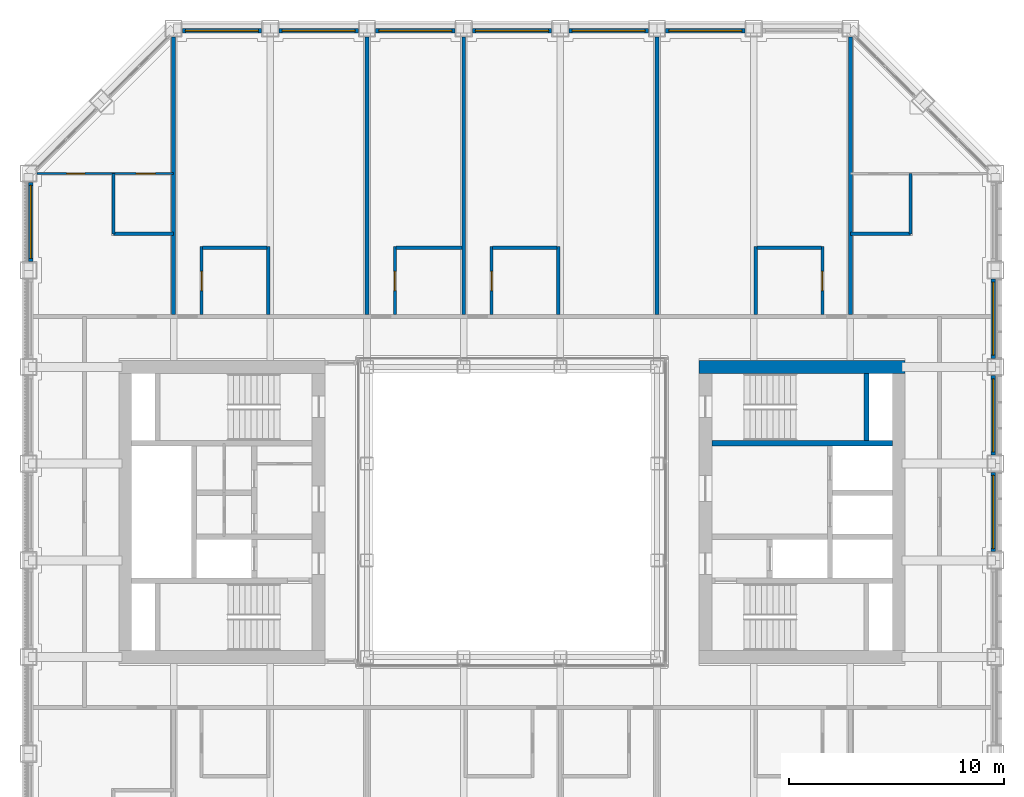
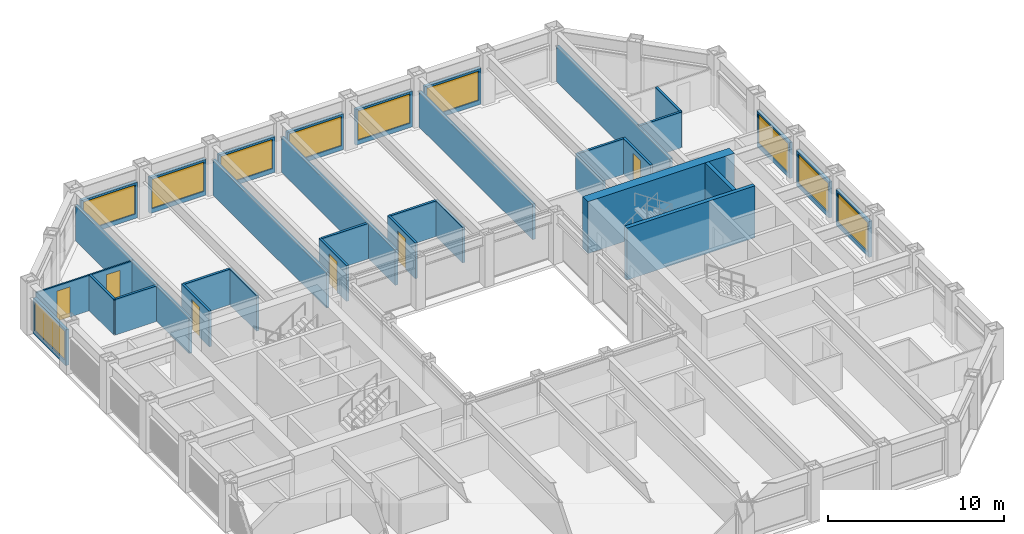
# One storey, part 13 of 17: 34 walls, 10 windows, 6 doors, 16 openings.
"""IFC4 building model written with IfcOpenShell, lengths in metres."""

import ifcopenshell
import ifcopenshell.guid

model = None  # the IFC model being written
_history = None  # IfcOwnerHistory: only IFC2X3 demands one
_inside = {}  # id of a spatial element -> (the spatial element, [elements in it])
_under = {}  # id of a project, library or spatial element -> (it, [spatial elements below it])
_declared = {}  # id of a project -> (the project, [libraries it declares])
_typed = {}  # id of a type object -> (the type object, [elements of that type])
_made_of = {}  # id of a material, layer set ... -> (it, [elements and type objects made of it])


def new_model(schema):
    """Start an empty IFC model of exactly this schema.

    Asked for "IFC4X3", IfcOpenShell would pick the latest addendum, in which some entities
    have other attributes; the version numbers below select the first issue.
    IFC2X3 requires an IfcOwnerHistory on every rooted entity: one is made here for all.
    """
    global model, _history
    if schema == "IFC4X3":
        model = ifcopenshell.file(schema_version=(4, 3, 0, 0))
    else:
        model = ifcopenshell.file(schema=schema)
    _inside.clear()
    _under.clear()
    _declared.clear()
    _typed.clear()
    _made_of.clear()
    _history = None
    if model.schema == "IFC2X3":
        org = make("IfcOrganization", Name="unknown")
        user = make(
            "IfcPersonAndOrganization",
            ThePerson=make("IfcPerson", FamilyName="unknown"),
            TheOrganization=org,
        )
        app = make(
            "IfcApplication",
            ApplicationDeveloper=org,
            Version="unknown",
            ApplicationFullName="unknown",
            ApplicationIdentifier="unknown",
        )
        _history = make(
            "IfcOwnerHistory",
            OwningUser=user,
            OwningApplication=app,
            ChangeAction="ADDED",
            CreationDate=0,
        )
    return model


def make(cls, **values):
    """One entity of the class cls with the attributes given. An attribute that is None is left unset."""
    return model.create_entity(
        cls, **{name: value for name, value in values.items() if value is not None}
    )


def rooted(cls, **values):
    """An entity with a GlobalId (a new one), such as an element, a storey or a relation."""
    return make(cls, GlobalId=ifcopenshell.guid.new(), OwnerHistory=_history, **values)


def si_unit(unit_type, name, prefix=None):
    """IfcSIUnit, for example si_unit("LENGTHUNIT", "METRE", prefix="MILLI")."""
    return make("IfcSIUnit", UnitType=unit_type, Prefix=prefix, Name=name)


def assignment(units):
    """IfcUnitAssignment: the units of a project."""
    return None if units is None else make("IfcUnitAssignment", Units=units)


def point(xyz):
    """IfcCartesianPoint."""
    return None if xyz is None else make("IfcCartesianPoint", Coordinates=xyz)


def direction(xyz):
    """IfcDirection."""
    return None if xyz is None else make("IfcDirection", DirectionRatios=xyz)


def frame(location, z_axis=None, x_axis=None):
    """IfcAxis2Placement3D, a coordinate frame: its origin and axes. An axis left out is left unset."""
    return make(
        "IfcAxis2Placement3D",
        Location=point(location),
        Axis=direction(z_axis),
        RefDirection=direction(x_axis),
    )


def frame_2d(location, x_axis=None):
    """IfcAxis2Placement2D, a coordinate frame in the plane: its origin and x axis."""
    return make(
        "IfcAxis2Placement2D", Location=point(location), RefDirection=direction(x_axis)
    )


def origin():
    """The frame at (0, 0, 0) with its axes left unset."""
    return frame((0.0, 0.0, 0.0))


def place(relative_to, where):
    """IfcLocalPlacement: puts the frame where relative to a parent placement (None: the world)."""
    return make(
        "IfcLocalPlacement", PlacementRelTo=relative_to, RelativePlacement=where
    )


def context(
    kind, dimensions, precision=None, world=None, true_north=None, identifier=None
):
    """IfcGeometricRepresentationContext, for example the 3D "Model" context."""
    return make(
        "IfcGeometricRepresentationContext",
        ContextIdentifier=identifier,
        ContextType=kind,
        CoordinateSpaceDimension=dimensions,
        Precision=precision,
        WorldCoordinateSystem=world,
        TrueNorth=true_north,
    )


def subcontext(parent, identifier, kind, view, scale=None):
    """IfcGeometricRepresentationSubContext, for example "Body" below "Model"."""
    return make(
        "IfcGeometricRepresentationSubContext",
        ContextIdentifier=identifier,
        ContextType=kind,
        ParentContext=parent,
        TargetScale=scale,
        TargetView=view,
    )


def project(units=None, contexts=None):
    """IfcProject with its units and contexts."""
    return rooted(
        "IfcProject",
        Name="project",
        RepresentationContexts=contexts,
        UnitsInContext=assignment(units),
    )


def spatial(cls, under=None, at=None, **own):
    """A site, building, storey or space (cls), placed at a placement, below another one or the project."""
    s = rooted(cls, ObjectPlacement=at, **own)
    if under is not None:
        _under.setdefault(under.id(), (under, []))[1].append(s)
    return s


def profile(cls, at=None, kind="AREA", **sizes):
    """A parametric profile (cls). Its sizes go by their IFC names, for example OverallWidth=200.0."""
    return make(cls, ProfileType=kind, Position=at, **sizes)


def rectangle(**sizes):
    """IfcRectangleProfileDef."""
    return profile("IfcRectangleProfileDef", **sizes)


def extrude(swept, where, along, depth):
    """IfcExtrudedAreaSolid: the profile swept, set in the frame where, extruded along a direction by depth."""
    return make(
        "IfcExtrudedAreaSolid",
        SweptArea=swept,
        Position=where,
        ExtrudedDirection=direction(along),
        Depth=depth,
    )


def shape(context_of_items, identifier, shape_type, items):
    """IfcShapeRepresentation: the items that make up one representation, for example the "Body"."""
    return make(
        "IfcShapeRepresentation",
        ContextOfItems=context_of_items,
        RepresentationIdentifier=identifier,
        RepresentationType=shape_type,
        Items=items,
    )


def material(Name=None, Category=None):
    """IfcMaterial."""
    return make("IfcMaterial", Name=Name, Category=Category)


def layer(
    of_material, thickness, ventilated=None, Name=None, Category=None, Priority=None
):
    """IfcMaterialLayer: one layer of a wall or slab, of a material (None: an air gap)."""
    return make(
        "IfcMaterialLayer",
        Material=of_material,
        LayerThickness=thickness,
        IsVentilated=ventilated,
        Name=Name,
        Category=Category,
        Priority=Priority,
    )


def layer_set(layers, Name=None):
    """IfcMaterialLayerSet."""
    return make("IfcMaterialLayerSet", MaterialLayers=layers, LayerSetName=Name)


def made_of(thing, what):
    """Note that an element or type object is made of a material, layer set ...; save() writes the relation."""
    if what is not None:
        _made_of.setdefault(what.id(), (what, []))[1].append(thing)
    return thing


def type_object(cls, material=None, **own):
    """A type object (cls), such as IfcWallType, which elements share."""
    return made_of(rooted(cls, **own), material)


def element(
    cls,
    number,
    at=None,
    inside=None,
    cuts=None,
    type_object=None,
    material=None,
    context=None,
    identifier="Body",
    shape_type=None,
    held_by="IfcProductDefinitionShape",
    body=None,
    shapes=None,
    **own,
):
    """One element of the class cls, such as IfcWall. Its Tag is "e" and its number.

    at: its placement. inside: the storey or other place that contains it. cuts: it is an
    opening in that element (IfcRelVoidsElement). A single representation is given by context,
    identifier, shape_type and body (its items); several are given by shapes. held_by: the class
    of the entity that holds the representations. save() writes the other relations.
    """
    e = rooted(cls, Tag="e%d" % number, ObjectPlacement=at, **own)
    if body is not None:
        shapes = [shape(context, identifier, shape_type, body)]
    if shapes is not None:
        e.Representation = make(held_by, Representations=shapes)
    if inside is not None:
        _inside.setdefault(inside.id(), (inside, []))[1].append(e)
    if cuts is not None:
        rooted(
            "IfcRelVoidsElement", RelatingBuildingElement=cuts, RelatedOpeningElement=e
        )
    if type_object is not None:
        _typed.setdefault(type_object.id(), (type_object, []))[1].append(e)
    return made_of(e, material)


def fill(opening, filler):
    """IfcRelFillsElement: the door or window that sits in an opening."""
    return rooted(
        "IfcRelFillsElement",
        RelatingOpeningElement=opening,
        RelatedBuildingElement=filler,
    )


def aggregate(whole, parts):
    """IfcRelAggregates: a whole, such as a stair, and the parts it consists of."""
    return rooted("IfcRelAggregates", RelatingObject=whole, RelatedObjects=parts)


def save(model, path):
    """Write the relations noted so far, then the file.

    IfcRelAggregates (storeys below a building ...), IfcRelContainedInSpatialStructure (elements
    in a storey), IfcRelDefinesByType, IfcRelAssociatesMaterial and IfcRelDeclares: one each for
    every whole, place, type object, material and project.
    """
    for whole, parts in _under.values():
        aggregate(whole, parts)
    for where, things in _inside.values():
        rooted(
            "IfcRelContainedInSpatialStructure",
            RelatedElements=things,
            RelatingStructure=where,
        )
    for kind, things in _typed.values():
        rooted("IfcRelDefinesByType", RelatedObjects=things, RelatingType=kind)
    for what, things in _made_of.values():
        rooted("IfcRelAssociatesMaterial", RelatedObjects=things, RelatingMaterial=what)
    for by, libraries in _declared.values():
        rooted("IfcRelDeclares", RelatingContext=by, RelatedDefinitions=libraries)
    model.write(path)


model = new_model("IFC4")

# Units and contexts
model_context = context("Model", 3, precision=1e-05, world=origin(), true_north=direction((0.0, 1.0)))
body_context = subcontext(model_context, "Body", "Model", "MODEL_VIEW")
ifc_project = project(units=[si_unit("LENGTHUNIT", "METRE"), si_unit("AREAUNIT", "SQUARE_METRE"), si_unit("VOLUMEUNIT", "CUBIC_METRE"), si_unit("PLANEANGLEUNIT", "RADIAN"), si_unit("MASSUNIT", "GRAM", prefix="KILO")], contexts=[model_context])

# Site, building, storey
site_placement = place(None, origin())
site = spatial("IfcSite", under=ifc_project, at=site_placement, CompositionType="ELEMENT")
building_placement = place(site_placement, origin())
building = spatial("IfcBuilding", under=site, at=building_placement, Name="Msasa Ring Tower", CompositionType="ELEMENT")
storey_placement = place(building_placement, frame((0.0, 0.0, 161.60009765625)))
storey = spatial("IfcBuildingStorey", under=building, at=storey_placement, Name="L42", CompositionType="ELEMENT", Elevation=161.60009765625)

# Walls
ifc_material_1 = material(Name="Concrete C60/75", Category="concrete")
ifc_layer_1 = layer(ifc_material_1, 0.60009765625)
ifc_layer_set_1 = layer_set([ifc_layer_1], Name="CW2 CORE WALL 600")
wall_type_1 = type_object("IfcWallType", Name="CW2 CORE WALL 600", PredefinedType="SHEAR", material=ifc_layer_set_1)
wall_1_placement = place(storey_placement, frame((8.699951171875, 6.75, 0.0), z_axis=(0.0, 0.0, 1.0), x_axis=(1.0, 0.0, 0.0)))
element("IfcWall", 1, at=wall_1_placement, inside=storey, type_object=wall_type_1, Name="E core wall N L42", PredefinedType="SHEAR", context=body_context, shape_type="SweptSolid", body=[
    extrude(rectangle(XDim=9.60009765625, YDim=0.60009765625, at=frame_2d((4.800048828125, 0.0))), origin(), (0.0, 0.0, 1.0), 3.599853515625),
])
ifc_material_2 = material(Name="Concrete C60/75", Category="concrete")
ifc_layer_2 = layer(ifc_material_2, 0.25)
ifc_layer_set_2 = layer_set([ifc_layer_2], Name="CW4 CORE INNER WALL 250")
wall_type_2 = type_object("IfcWallType", Name="CW4 CORE INNER WALL 250", PredefinedType="SHEAR", material=ifc_layer_set_2)
wall_2_placement = place(storey_placement, frame((9.300048828125, 3.199951171875, 0.0), z_axis=(0.0, 0.0, 1.0), x_axis=(1.0, 0.0, 0.0)))
element("IfcWall", 2, at=wall_2_placement, inside=storey, type_object=wall_type_2, Name="E core wall STAIRB L42", PredefinedType="SHEAR", context=body_context, shape_type="SweptSolid", body=[
    extrude(rectangle(XDim=8.39990234375, YDim=0.25, at=frame_2d((4.199951171875, 0.0))), origin(), (0.0, 0.0, 1.0), 3.599853515625),
])
wall_3_placement = place(storey_placement, frame((16.5, 3.324951171875, 0.0), z_axis=(0.0, 0.0, 1.0), x_axis=(0.0, 1.0, 0.0)))
element("IfcWall", 3, at=wall_3_placement, inside=storey, type_object=wall_type_2, Name="E core wall RISERB L42", PredefinedType="SHEAR", context=body_context, shape_type="SweptSolid", body=[
    extrude(rectangle(XDim=3.125, YDim=0.25, at=frame_2d((1.5625, 0.0))), origin(), (0.0, 0.0, 1.0), 3.599853515625),
])

# Wall, opening, window
ifc_material_3 = material(Name="Terracotta rainscreen on blockwork", Category="masonry")
ifc_layer_3 = layer(ifc_material_3, 0.199951171875)
ifc_layer_set_3 = layer_set([ifc_layer_3], Name="FW1 TERRACOTTA-LINED INFILL BAY WALL 200")
wall_type_3 = type_object("IfcWallType", Name="FW1 TERRACOTTA-LINED INFILL BAY WALL 200", PredefinedType="SOLIDWALL", material=ifc_layer_set_3)
wall_4_placement = place(storey_placement, frame((22.39990234375, -1.844970703125, 0.0), z_axis=(0.0, 0.0, 1.0), x_axis=(0.0, 1.0, 0.0)))
wall_4 = element("IfcWall", 4, at=wall_4_placement, inside=storey, type_object=wall_type_3, Name="Infill bay wall E L42 12", PredefinedType="SOLIDWALL", context=body_context, shape_type="SweptSolid", body=[
    extrude(rectangle(XDim=3.68994140625, YDim=0.199951171875, at=frame_2d((1.844970703125, 0.0))), origin(), (0.0, 0.0, 1.0), 2.47900390625),
])
opening_1_placement = place(wall_4_placement, frame((0.14501953125, 0.0, 0.300048828125)))
opening_1 = element("IfcOpeningElement", 5, at=opening_1_placement, cuts=wall_4, Name="Opening WN2", PredefinedType="OPENING", context=body_context, shape_type="SweptSolid", body=[
    extrude(rectangle(XDim=3.39990234375, YDim=2.029052734375, at=frame_2d((1.699951171875, 1.0146484375))), frame((0.0, 0.10986328125, 0.0), z_axis=(0.0, -1.0, 0.0), x_axis=(1.0, 0.0, 0.0)), (0.0, 0.0, 1.0), 0.219970703125),
])
ifc_material_4 = material(Name="Aluminium frame with clear glass", Category="aluminium")
window_type = type_object("IfcWindowType", Name="WN2 GUEST ROOM WINDOW 3400x2029", PartitioningType="SINGLE_PANEL", PredefinedType="WINDOW", material=ifc_material_4)
window_1_placement = place(opening_1_placement, origin())
window_1 = element("IfcWindow", 6, at=window_1_placement, inside=storey, type_object=window_type, Name="Window E L42 12", OverallHeight=2.029052734375, OverallWidth=3.39990234375, PartitioningType="SINGLE_PANEL", PredefinedType="WINDOW", context=body_context, shape_type="SweptSolid", body=[
    extrude(rectangle(XDim=3.39990234375, YDim=2.029052734375, at=frame_2d((1.699951171875, 1.0146484375))), frame((0.0, 0.030029296875, 0.0), z_axis=(0.0, -1.0, 0.0), x_axis=(1.0, 0.0, 0.0)), (0.0, 0.0, 1.0), 0.06005859375),
])
fill(opening_1, window_1)

wall_5_placement = place(storey_placement, frame((22.39990234375, 2.655029296875, 0.0), z_axis=(0.0, 0.0, 1.0), x_axis=(0.0, 1.0, 0.0)))
wall_5 = element("IfcWall", 7, at=wall_5_placement, inside=storey, type_object=wall_type_3, Name="Infill bay wall E L42 13", PredefinedType="SOLIDWALL", context=body_context, shape_type="SweptSolid", body=[
    extrude(rectangle(XDim=3.68994140625, YDim=0.199951171875, at=frame_2d((1.844970703125, 0.0))), origin(), (0.0, 0.0, 1.0), 2.47900390625),
])
opening_2_placement = place(wall_5_placement, frame((0.14501953125, 0.0, 0.300048828125)))
opening_2 = element("IfcOpeningElement", 8, at=opening_2_placement, cuts=wall_5, Name="Opening WN2", PredefinedType="OPENING", context=body_context, shape_type="SweptSolid", body=[
    extrude(rectangle(XDim=3.39990234375, YDim=2.029052734375, at=frame_2d((1.699951171875, 1.0146484375))), frame((0.0, 0.10986328125, 0.0), z_axis=(0.0, -1.0, 0.0), x_axis=(1.0, 0.0, 0.0)), (0.0, 0.0, 1.0), 0.219970703125),
])
window_2_placement = place(opening_2_placement, origin())
window_2 = element("IfcWindow", 9, at=window_2_placement, inside=storey, type_object=window_type, Name="Window E L42 13", OverallHeight=2.029052734375, OverallWidth=3.39990234375, PartitioningType="SINGLE_PANEL", PredefinedType="WINDOW", context=body_context, shape_type="SweptSolid", body=[
    extrude(rectangle(XDim=3.39990234375, YDim=2.029052734375, at=frame_2d((1.699951171875, 1.0146484375))), frame((0.0, 0.030029296875, 0.0), z_axis=(0.0, -1.0, 0.0), x_axis=(1.0, 0.0, 0.0)), (0.0, 0.0, 1.0), 0.06005859375),
])
fill(opening_2, window_2)

wall_6_placement = place(storey_placement, frame((22.39990234375, 7.155029296875, 0.0), z_axis=(0.0, 0.0, 1.0), x_axis=(0.0, 1.0, 0.0)))
wall_6 = element("IfcWall", 10, at=wall_6_placement, inside=storey, type_object=wall_type_3, Name="Infill bay wall E L42 14", PredefinedType="SOLIDWALL", context=body_context, shape_type="SweptSolid", body=[
    extrude(rectangle(XDim=3.68994140625, YDim=0.199951171875, at=frame_2d((1.844970703125, 0.0))), origin(), (0.0, 0.0, 1.0), 2.47900390625),
])
opening_3_placement = place(wall_6_placement, frame((0.14501953125, 0.0, 0.300048828125)))
opening_3 = element("IfcOpeningElement", 11, at=opening_3_placement, cuts=wall_6, Name="Opening WN2", PredefinedType="OPENING", context=body_context, shape_type="SweptSolid", body=[
    extrude(rectangle(XDim=3.39990234375, YDim=2.029052734375, at=frame_2d((1.699951171875, 1.0146484375))), frame((0.0, 0.10986328125, 0.0), z_axis=(0.0, -1.0, 0.0), x_axis=(1.0, 0.0, 0.0)), (0.0, 0.0, 1.0), 0.219970703125),
])
window_3_placement = place(opening_3_placement, origin())
window_3 = element("IfcWindow", 12, at=window_3_placement, inside=storey, type_object=window_type, Name="Window E L42 14", OverallHeight=2.029052734375, OverallWidth=3.39990234375, PartitioningType="SINGLE_PANEL", PredefinedType="WINDOW", context=body_context, shape_type="SweptSolid", body=[
    extrude(rectangle(XDim=3.39990234375, YDim=2.029052734375, at=frame_2d((1.699951171875, 1.0146484375))), frame((0.0, 0.030029296875, 0.0), z_axis=(0.0, -1.0, 0.0), x_axis=(1.0, 0.0, 0.0)), (0.0, 0.0, 1.0), 0.06005859375),
])
fill(opening_3, window_3)

wall_7_placement = place(storey_placement, frame((-15.344970703125, 22.39990234375, 0.0), z_axis=(0.0, 0.0, 1.0), x_axis=(1.0, 0.0, 0.0)))
wall_7 = element("IfcWall", 13, at=wall_7_placement, inside=storey, type_object=wall_type_3, Name="Infill bay wall N L42 18", PredefinedType="SOLIDWALL", context=body_context, shape_type="SweptSolid", body=[
    extrude(rectangle(XDim=3.68994140625, YDim=0.199951171875, at=frame_2d((1.844970703125, 0.0))), origin(), (0.0, 0.0, 1.0), 2.47900390625),
])
opening_4_placement = place(wall_7_placement, frame((0.14501953125, 0.0, 0.300048828125)))
opening_4 = element("IfcOpeningElement", 14, at=opening_4_placement, cuts=wall_7, Name="Opening WN2", PredefinedType="OPENING", context=body_context, shape_type="SweptSolid", body=[
    extrude(rectangle(XDim=3.39990234375, YDim=2.029052734375, at=frame_2d((1.699951171875, 1.0146484375))), frame((0.0, 0.10986328125, 0.0), z_axis=(0.0, -1.0, 0.0), x_axis=(1.0, 0.0, 0.0)), (0.0, 0.0, 1.0), 0.219970703125),
])
window_4_placement = place(opening_4_placement, origin())
window_4 = element("IfcWindow", 15, at=window_4_placement, inside=storey, type_object=window_type, Name="Window N L42 18", OverallHeight=2.029052734375, OverallWidth=3.39990234375, PartitioningType="SINGLE_PANEL", PredefinedType="WINDOW", context=body_context, shape_type="SweptSolid", body=[
    extrude(rectangle(XDim=3.39990234375, YDim=2.029052734375, at=frame_2d((1.699951171875, 1.0146484375))), frame((0.0, 0.030029296875, 0.0), z_axis=(0.0, -1.0, 0.0), x_axis=(1.0, 0.0, 0.0)), (0.0, 0.0, 1.0), 0.06005859375),
])
fill(opening_4, window_4)

wall_8_placement = place(storey_placement, frame((-10.844970703125, 22.39990234375, 0.0), z_axis=(0.0, 0.0, 1.0), x_axis=(1.0, 0.0, 0.0)))
wall_8 = element("IfcWall", 16, at=wall_8_placement, inside=storey, type_object=wall_type_3, Name="Infill bay wall N L42 19", PredefinedType="SOLIDWALL", context=body_context, shape_type="SweptSolid", body=[
    extrude(rectangle(XDim=3.68994140625, YDim=0.199951171875, at=frame_2d((1.844970703125, 0.0))), origin(), (0.0, 0.0, 1.0), 2.47900390625),
])
opening_5_placement = place(wall_8_placement, frame((0.14501953125, 0.0, 0.300048828125)))
opening_5 = element("IfcOpeningElement", 17, at=opening_5_placement, cuts=wall_8, Name="Opening WN2", PredefinedType="OPENING", context=body_context, shape_type="SweptSolid", body=[
    extrude(rectangle(XDim=3.39990234375, YDim=2.029052734375, at=frame_2d((1.699951171875, 1.0146484375))), frame((0.0, 0.10986328125, 0.0), z_axis=(0.0, -1.0, 0.0), x_axis=(1.0, 0.0, 0.0)), (0.0, 0.0, 1.0), 0.219970703125),
])
window_5_placement = place(opening_5_placement, origin())
window_5 = element("IfcWindow", 18, at=window_5_placement, inside=storey, type_object=window_type, Name="Window N L42 19", OverallHeight=2.029052734375, OverallWidth=3.39990234375, PartitioningType="SINGLE_PANEL", PredefinedType="WINDOW", context=body_context, shape_type="SweptSolid", body=[
    extrude(rectangle(XDim=3.39990234375, YDim=2.029052734375, at=frame_2d((1.699951171875, 1.0146484375))), frame((0.0, 0.030029296875, 0.0), z_axis=(0.0, -1.0, 0.0), x_axis=(1.0, 0.0, 0.0)), (0.0, 0.0, 1.0), 0.06005859375),
])
fill(opening_5, window_5)

wall_9_placement = place(storey_placement, frame((-6.344970703125, 22.39990234375, 0.0), z_axis=(0.0, 0.0, 1.0), x_axis=(1.0, 0.0, 0.0)))
wall_9 = element("IfcWall", 19, at=wall_9_placement, inside=storey, type_object=wall_type_3, Name="Infill bay wall N L42 20", PredefinedType="SOLIDWALL", context=body_context, shape_type="SweptSolid", body=[
    extrude(rectangle(XDim=3.68994140625, YDim=0.199951171875, at=frame_2d((1.844970703125, 0.0))), origin(), (0.0, 0.0, 1.0), 2.47900390625),
])
opening_6_placement = place(wall_9_placement, frame((0.14501953125, 0.0, 0.300048828125)))
opening_6 = element("IfcOpeningElement", 20, at=opening_6_placement, cuts=wall_9, Name="Opening WN2", PredefinedType="OPENING", context=body_context, shape_type="SweptSolid", body=[
    extrude(rectangle(XDim=3.39990234375, YDim=2.029052734375, at=frame_2d((1.699951171875, 1.0146484375))), frame((0.0, 0.10986328125, 0.0), z_axis=(0.0, -1.0, 0.0), x_axis=(1.0, 0.0, 0.0)), (0.0, 0.0, 1.0), 0.219970703125),
])
window_6_placement = place(opening_6_placement, origin())
window_6 = element("IfcWindow", 21, at=window_6_placement, inside=storey, type_object=window_type, Name="Window N L42 20", OverallHeight=2.029052734375, OverallWidth=3.39990234375, PartitioningType="SINGLE_PANEL", PredefinedType="WINDOW", context=body_context, shape_type="SweptSolid", body=[
    extrude(rectangle(XDim=3.39990234375, YDim=2.029052734375, at=frame_2d((1.699951171875, 1.0146484375))), frame((0.0, 0.030029296875, 0.0), z_axis=(0.0, -1.0, 0.0), x_axis=(1.0, 0.0, 0.0)), (0.0, 0.0, 1.0), 0.06005859375),
])
fill(opening_6, window_6)

wall_10_placement = place(storey_placement, frame((-1.844970703125, 22.39990234375, 0.0), z_axis=(0.0, 0.0, 1.0), x_axis=(1.0, 0.0, 0.0)))
wall_10 = element("IfcWall", 22, at=wall_10_placement, inside=storey, type_object=wall_type_3, Name="Infill bay wall N L42 21", PredefinedType="SOLIDWALL", context=body_context, shape_type="SweptSolid", body=[
    extrude(rectangle(XDim=3.68994140625, YDim=0.199951171875, at=frame_2d((1.844970703125, 0.0))), origin(), (0.0, 0.0, 1.0), 2.47900390625),
])
opening_7_placement = place(wall_10_placement, frame((0.14501953125, 0.0, 0.300048828125)))
opening_7 = element("IfcOpeningElement", 23, at=opening_7_placement, cuts=wall_10, Name="Opening WN2", PredefinedType="OPENING", context=body_context, shape_type="SweptSolid", body=[
    extrude(rectangle(XDim=3.39990234375, YDim=2.029052734375, at=frame_2d((1.699951171875, 1.0146484375))), frame((0.0, 0.10986328125, 0.0), z_axis=(0.0, -1.0, 0.0), x_axis=(1.0, 0.0, 0.0)), (0.0, 0.0, 1.0), 0.219970703125),
])
window_7_placement = place(opening_7_placement, origin())
window_7 = element("IfcWindow", 24, at=window_7_placement, inside=storey, type_object=window_type, Name="Window N L42 21", OverallHeight=2.029052734375, OverallWidth=3.39990234375, PartitioningType="SINGLE_PANEL", PredefinedType="WINDOW", context=body_context, shape_type="SweptSolid", body=[
    extrude(rectangle(XDim=3.39990234375, YDim=2.029052734375, at=frame_2d((1.699951171875, 1.0146484375))), frame((0.0, 0.030029296875, 0.0), z_axis=(0.0, -1.0, 0.0), x_axis=(1.0, 0.0, 0.0)), (0.0, 0.0, 1.0), 0.06005859375),
])
fill(opening_7, window_7)

wall_11_placement = place(storey_placement, frame((2.655029296875, 22.39990234375, 0.0), z_axis=(0.0, 0.0, 1.0), x_axis=(1.0, 0.0, 0.0)))
wall_11 = element("IfcWall", 25, at=wall_11_placement, inside=storey, type_object=wall_type_3, Name="Infill bay wall N L42 22", PredefinedType="SOLIDWALL", context=body_context, shape_type="SweptSolid", body=[
    extrude(rectangle(XDim=3.68994140625, YDim=0.199951171875, at=frame_2d((1.844970703125, 0.0))), origin(), (0.0, 0.0, 1.0), 2.47900390625),
])
opening_8_placement = place(wall_11_placement, frame((0.14501953125, 0.0, 0.300048828125)))
opening_8 = element("IfcOpeningElement", 26, at=opening_8_placement, cuts=wall_11, Name="Opening WN2", PredefinedType="OPENING", context=body_context, shape_type="SweptSolid", body=[
    extrude(rectangle(XDim=3.39990234375, YDim=2.029052734375, at=frame_2d((1.699951171875, 1.0146484375))), frame((0.0, 0.10986328125, 0.0), z_axis=(0.0, -1.0, 0.0), x_axis=(1.0, 0.0, 0.0)), (0.0, 0.0, 1.0), 0.219970703125),
])
window_8_placement = place(opening_8_placement, origin())
window_8 = element("IfcWindow", 27, at=window_8_placement, inside=storey, type_object=window_type, Name="Window N L42 22", OverallHeight=2.029052734375, OverallWidth=3.39990234375, PartitioningType="SINGLE_PANEL", PredefinedType="WINDOW", context=body_context, shape_type="SweptSolid", body=[
    extrude(rectangle(XDim=3.39990234375, YDim=2.029052734375, at=frame_2d((1.699951171875, 1.0146484375))), frame((0.0, 0.030029296875, 0.0), z_axis=(0.0, -1.0, 0.0), x_axis=(1.0, 0.0, 0.0)), (0.0, 0.0, 1.0), 0.06005859375),
])
fill(opening_8, window_8)

wall_12_placement = place(storey_placement, frame((7.155029296875, 22.39990234375, 0.0), z_axis=(0.0, 0.0, 1.0), x_axis=(1.0, 0.0, 0.0)))
wall_12 = element("IfcWall", 28, at=wall_12_placement, inside=storey, type_object=wall_type_3, Name="Infill bay wall N L42 23", PredefinedType="SOLIDWALL", context=body_context, shape_type="SweptSolid", body=[
    extrude(rectangle(XDim=3.68994140625, YDim=0.199951171875, at=frame_2d((1.844970703125, 0.0))), origin(), (0.0, 0.0, 1.0), 2.47900390625),
])
opening_9_placement = place(wall_12_placement, frame((0.14501953125, 0.0, 0.300048828125)))
opening_9 = element("IfcOpeningElement", 29, at=opening_9_placement, cuts=wall_12, Name="Opening WN2", PredefinedType="OPENING", context=body_context, shape_type="SweptSolid", body=[
    extrude(rectangle(XDim=3.39990234375, YDim=2.029052734375, at=frame_2d((1.699951171875, 1.0146484375))), frame((0.0, 0.10986328125, 0.0), z_axis=(0.0, -1.0, 0.0), x_axis=(1.0, 0.0, 0.0)), (0.0, 0.0, 1.0), 0.219970703125),
])
window_9_placement = place(opening_9_placement, origin())
window_9 = element("IfcWindow", 30, at=window_9_placement, inside=storey, type_object=window_type, Name="Window N L42 23", OverallHeight=2.029052734375, OverallWidth=3.39990234375, PartitioningType="SINGLE_PANEL", PredefinedType="WINDOW", context=body_context, shape_type="SweptSolid", body=[
    extrude(rectangle(XDim=3.39990234375, YDim=2.029052734375, at=frame_2d((1.699951171875, 1.0146484375))), frame((0.0, 0.030029296875, 0.0), z_axis=(0.0, -1.0, 0.0), x_axis=(1.0, 0.0, 0.0)), (0.0, 0.0, 1.0), 0.06005859375),
])
fill(opening_9, window_9)

wall_13_placement = place(storey_placement, frame((-22.39990234375, 11.655029296875, 0.0), z_axis=(0.0, 0.0, 1.0), x_axis=(0.0, 1.0, 0.0)))
wall_13 = element("IfcWall", 31, at=wall_13_placement, inside=storey, type_object=wall_type_3, Name="Infill bay wall W L42 33", PredefinedType="SOLIDWALL", context=body_context, shape_type="SweptSolid", body=[
    extrude(rectangle(XDim=3.68994140625, YDim=0.199951171875, at=frame_2d((1.844970703125, 0.0))), origin(), (0.0, 0.0, 1.0), 2.47900390625),
])
opening_10_placement = place(wall_13_placement, frame((0.14501953125, 0.0, 0.300048828125)))
opening_10 = element("IfcOpeningElement", 32, at=opening_10_placement, cuts=wall_13, Name="Opening WN2", PredefinedType="OPENING", context=body_context, shape_type="SweptSolid", body=[
    extrude(rectangle(XDim=3.39990234375, YDim=2.029052734375, at=frame_2d((1.699951171875, 1.0146484375))), frame((0.0, 0.10986328125, 0.0), z_axis=(0.0, -1.0, 0.0), x_axis=(1.0, 0.0, 0.0)), (0.0, 0.0, 1.0), 0.219970703125),
])
window_10_placement = place(opening_10_placement, origin())
window_10 = element("IfcWindow", 33, at=window_10_placement, inside=storey, type_object=window_type, Name="Window W L42 33", OverallHeight=2.029052734375, OverallWidth=3.39990234375, PartitioningType="SINGLE_PANEL", PredefinedType="WINDOW", context=body_context, shape_type="SweptSolid", body=[
    extrude(rectangle(XDim=3.39990234375, YDim=2.029052734375, at=frame_2d((1.699951171875, 1.0146484375))), frame((0.0, 0.030029296875, 0.0), z_axis=(0.0, -1.0, 0.0), x_axis=(1.0, 0.0, 0.0)), (0.0, 0.0, 1.0), 0.06005859375),
])
fill(opening_10, window_10)

# Wall, openings, doors
ifc_material_5 = material(Name="Gypsum board on steel studs", Category="steel")
ifc_layer_4 = layer(ifc_material_5, 0.10009765625)
ifc_layer_set_4 = layer_set([ifc_layer_4], Name="PT2 STUD PARTITION 100")
wall_type_4 = type_object("IfcWallType", Name="PT2 STUD PARTITION 100", PredefinedType="PARTITIONING", material=ifc_layer_set_4)
wall_14_placement = place(storey_placement, frame((-22.10009765625, 15.75, 0.0), z_axis=(0.0, 0.0, 1.0), x_axis=(1.0, 0.0, 0.0)))
wall_14 = element("IfcWall", 34, at=wall_14_placement, inside=storey, type_object=wall_type_4, Name="Partition L42-CSNWX", PredefinedType="PARTITIONING", context=body_context, shape_type="SweptSolid", body=[
    extrude(rectangle(XDim=6.35009765625, YDim=0.10009765625, at=frame_2d((3.175048828125, 0.0))), origin(), (0.0, 0.0, 1.0), 2.473388671875),
])
opening_11_placement = place(wall_14_placement, frame((1.375, 0.0, 0.0)))
opening_11 = element("IfcOpeningElement", 35, at=opening_11_placement, cuts=wall_14, Name="Opening HE-001", PredefinedType="OPENING", context=body_context, shape_type="SweptSolid", body=[
    extrude(rectangle(XDim=0.85009765625, YDim=2.10009765625, at=frame_2d((0.425048828125, 1.050048828125))), frame((0.0, 0.06005859375, 0.0), z_axis=(0.0, -1.0, 0.0), x_axis=(1.0, 0.0, 0.0)), (0.0, 0.0, 1.0), 0.1201171875),
])
opening_12_placement = place(wall_14_placement, frame((4.60009765625, 0.0, 0.0)))
opening_12 = element("IfcOpeningElement", 36, at=opening_12_placement, cuts=wall_14, Name="Opening HE-002", PredefinedType="OPENING", context=body_context, shape_type="SweptSolid", body=[
    extrude(rectangle(XDim=0.89990234375, YDim=2.10009765625, at=frame_2d((0.449951171875, 1.050048828125))), frame((0.0, 0.06005859375, 0.0), z_axis=(0.0, -1.0, 0.0), x_axis=(1.0, 0.0, 0.0)), (0.0, 0.0, 1.0), 0.1201171875),
])
ifc_material_6 = material(Name="Timber door leaf in a steel frame", Category="steel")
door_type_1 = type_object("IfcDoorType", Name="D14 BEDROOM DOOR 850x2100", OperationType="SINGLE_SWING_LEFT", PredefinedType="DOOR", material=ifc_material_6)
door_1_placement = place(opening_11_placement, origin())
door_1 = element("IfcDoor", 37, at=door_1_placement, inside=storey, type_object=door_type_1, Name="Door L42-CSNWR1", OperationType="SINGLE_SWING_LEFT", OverallHeight=2.10009765625, OverallWidth=0.85009765625, PredefinedType="DOOR", context=body_context, shape_type="SweptSolid", body=[
    extrude(rectangle(XDim=0.85009765625, YDim=2.10009765625, at=frame_2d((0.425048828125, 1.050048828125))), frame((0.0, 0.02490234375, 0.0), z_axis=(0.0, -1.0, 0.0), x_axis=(1.0, 0.0, 0.0)), (0.0, 0.0, 1.0), 0.050048828125),
])
fill(opening_11, door_1)
ifc_material_7 = material(Name="Timber door leaf in a steel frame", Category="steel")
door_type_2 = type_object("IfcDoorType", Name="D3 BATHROOM DOOR 900x2100", OperationType="SINGLE_SWING_LEFT", PredefinedType="DOOR", material=ifc_material_7)
door_2_placement = place(opening_12_placement, origin())
door_2 = element("IfcDoor", 38, at=door_2_placement, inside=storey, type_object=door_type_2, Name="Door L42-CSNWB1", OperationType="SINGLE_SWING_RIGHT", OverallHeight=2.10009765625, OverallWidth=0.89990234375, PredefinedType="DOOR", context=body_context, shape_type="SweptSolid", body=[
    extrude(rectangle(XDim=0.89990234375, YDim=2.10009765625, at=frame_2d((0.449951171875, 1.050048828125))), frame((0.0, 0.02490234375, 0.0), z_axis=(0.0, -1.0, 0.0), x_axis=(1.0, 0.0, 0.0)), (0.0, 0.0, 1.0), 0.050048828125),
])
fill(opening_12, door_2)

# Wall, opening, door
ifc_material_8 = material(Name="Moisture-resistant board on steel studs with a concealed cistern and pipe void, tiled", Category="steel")
ifc_layer_5 = layer(ifc_material_8, 0.14990234375)
ifc_layer_set_5 = layer_set([ifc_layer_5], Name="PT4 BATHROOM WET WALL 150")
wall_type_5 = type_object("IfcWallType", Name="PT4 BATHROOM WET WALL 150", PredefinedType="PARTITIONING", material=ifc_layer_set_5)
wall_15_placement = place(storey_placement, frame((-14.449951171875, 9.199951171875, 0.0), z_axis=(0.0, 0.0, 1.0), x_axis=(0.0, 1.0, 0.0)))
wall_15 = element("IfcWall", 39, at=wall_15_placement, inside=storey, type_object=wall_type_5, Name="Partition L42-GN00BX", PredefinedType="PARTITIONING", context=body_context, shape_type="SweptSolid", body=[
    extrude(rectangle(XDim=3.150146484375, YDim=0.14990234375, at=frame_2d((1.5751953125, 0.0))), origin(), (0.0, 0.0, 1.0), 2.473388671875),
])
opening_13_placement = place(wall_15_placement, frame((1.10009765625, 0.0, 0.0)))
opening_13 = element("IfcOpeningElement", 40, at=opening_13_placement, cuts=wall_15, Name="Opening HE-005", PredefinedType="OPENING", context=body_context, shape_type="SweptSolid", body=[
    extrude(rectangle(XDim=0.89990234375, YDim=2.10009765625, at=frame_2d((0.449951171875, 1.050048828125))), frame((0.0, 0.0849609375, 0.0), z_axis=(0.0, -1.0, 0.0), x_axis=(1.0, 0.0, 0.0)), (0.0, 0.0, 1.0), 0.169921875),
])
door_3_placement = place(opening_13_placement, origin())
door_3 = element("IfcDoor", 41, at=door_3_placement, inside=storey, type_object=door_type_2, Name="Door L42-GN00B", OperationType="SINGLE_SWING_LEFT", OverallHeight=2.10009765625, OverallWidth=0.89990234375, PredefinedType="DOOR", context=body_context, shape_type="SweptSolid", body=[
    extrude(rectangle(XDim=0.89990234375, YDim=2.10009765625, at=frame_2d((0.449951171875, 1.050048828125))), frame((0.0, 0.02490234375, 0.0), z_axis=(0.0, -1.0, 0.0), x_axis=(1.0, 0.0, 0.0)), (0.0, 0.0, 1.0), 0.050048828125),
])
fill(opening_13, door_3)

# Walls
wall_16_placement = place(storey_placement, frame((-11.35009765625, 9.199951171875, 0.0), z_axis=(0.0, 0.0, 1.0), x_axis=(0.0, 1.0, 0.0)))
element("IfcWall", 42, at=wall_16_placement, inside=storey, type_object=wall_type_5, Name="Partition L42-GN00BF", PredefinedType="PARTITIONING", context=body_context, shape_type="SweptSolid", body=[
    extrude(rectangle(XDim=3.150146484375, YDim=0.14990234375, at=frame_2d((1.5751953125, 0.0))), origin(), (0.0, 0.0, 1.0), 2.473388671875),
])
wall_17_placement = place(storey_placement, frame((-14.39990234375, 12.300048828125, 0.0), z_axis=(0.0, 0.0, 1.0), x_axis=(1.0, 0.0, 0.0)))
element("IfcWall", 43, at=wall_17_placement, inside=storey, type_object=wall_type_5, Name="Partition L42-GN00BY", PredefinedType="PARTITIONING", context=body_context, shape_type="SweptSolid", body=[
    extrude(rectangle(XDim=3.0, YDim=0.14990234375, at=frame_2d((1.5, 0.0))), origin(), (0.0, 0.0, 1.0), 2.473388671875),
])

# Wall, opening, door
wall_18_placement = place(storey_placement, frame((-5.449951171875, 9.199951171875, 0.0), z_axis=(0.0, 0.0, 1.0), x_axis=(0.0, 1.0, 0.0)))
wall_18 = element("IfcWall", 44, at=wall_18_placement, inside=storey, type_object=wall_type_5, Name="Partition L42-GN01BX", PredefinedType="PARTITIONING", context=body_context, shape_type="SweptSolid", body=[
    extrude(rectangle(XDim=3.150146484375, YDim=0.14990234375, at=frame_2d((1.5751953125, 0.0))), origin(), (0.0, 0.0, 1.0), 2.473388671875),
])
opening_14_placement = place(wall_18_placement, frame((1.10009765625, 0.0, 0.0)))
opening_14 = element("IfcOpeningElement", 45, at=opening_14_placement, cuts=wall_18, Name="Opening HE-006", PredefinedType="OPENING", context=body_context, shape_type="SweptSolid", body=[
    extrude(rectangle(XDim=0.89990234375, YDim=2.10009765625, at=frame_2d((0.449951171875, 1.050048828125))), frame((0.0, 0.0849609375, 0.0), z_axis=(0.0, -1.0, 0.0), x_axis=(1.0, 0.0, 0.0)), (0.0, 0.0, 1.0), 0.169921875),
])
door_4_placement = place(opening_14_placement, origin())
door_4 = element("IfcDoor", 46, at=door_4_placement, inside=storey, type_object=door_type_2, Name="Door L42-GN01B", OperationType="SINGLE_SWING_LEFT", OverallHeight=2.10009765625, OverallWidth=0.89990234375, PredefinedType="DOOR", context=body_context, shape_type="SweptSolid", body=[
    extrude(rectangle(XDim=0.89990234375, YDim=2.10009765625, at=frame_2d((0.449951171875, 1.050048828125))), frame((0.0, 0.02490234375, 0.0), z_axis=(0.0, -1.0, 0.0), x_axis=(1.0, 0.0, 0.0)), (0.0, 0.0, 1.0), 0.050048828125),
])
fill(opening_14, door_4)

# Wall
wall_19_placement = place(storey_placement, frame((-5.39990234375, 12.300048828125, 0.0), z_axis=(0.0, 0.0, 1.0), x_axis=(1.0, 0.0, 0.0)))
element("IfcWall", 47, at=wall_19_placement, inside=storey, type_object=wall_type_5, Name="Partition L42-GN01BY", PredefinedType="PARTITIONING", context=body_context, shape_type="SweptSolid", body=[
    extrude(rectangle(XDim=3.0625, YDim=0.14990234375, at=frame_2d((1.53125, 0.0))), origin(), (0.0, 0.0, 1.0), 2.473388671875),
])

# Wall, opening, door
wall_20_placement = place(storey_placement, frame((-0.949951171875, 9.199951171875, 0.0), z_axis=(0.0, 0.0, 1.0), x_axis=(0.0, 1.0, 0.0)))
wall_20 = element("IfcWall", 48, at=wall_20_placement, inside=storey, type_object=wall_type_5, Name="Partition L42-GN02BX", PredefinedType="PARTITIONING", context=body_context, shape_type="SweptSolid", body=[
    extrude(rectangle(XDim=3.150146484375, YDim=0.14990234375, at=frame_2d((1.5751953125, 0.0))), origin(), (0.0, 0.0, 1.0), 2.473388671875),
])
opening_15_placement = place(wall_20_placement, frame((1.10009765625, 0.0, 0.0)))
opening_15 = element("IfcOpeningElement", 49, at=opening_15_placement, cuts=wall_20, Name="Opening HE-007", PredefinedType="OPENING", context=body_context, shape_type="SweptSolid", body=[
    extrude(rectangle(XDim=0.89990234375, YDim=2.10009765625, at=frame_2d((0.449951171875, 1.050048828125))), frame((0.0, 0.0849609375, 0.0), z_axis=(0.0, -1.0, 0.0), x_axis=(1.0, 0.0, 0.0)), (0.0, 0.0, 1.0), 0.169921875),
])
door_5_placement = place(opening_15_placement, origin())
door_5 = element("IfcDoor", 50, at=door_5_placement, inside=storey, type_object=door_type_2, Name="Door L42-GN02B", OperationType="SINGLE_SWING_LEFT", OverallHeight=2.10009765625, OverallWidth=0.89990234375, PredefinedType="DOOR", context=body_context, shape_type="SweptSolid", body=[
    extrude(rectangle(XDim=0.89990234375, YDim=2.10009765625, at=frame_2d((0.449951171875, 1.050048828125))), frame((0.0, 0.02490234375, 0.0), z_axis=(0.0, -1.0, 0.0), x_axis=(1.0, 0.0, 0.0)), (0.0, 0.0, 1.0), 0.050048828125),
])
fill(opening_15, door_5)

# Walls
wall_21_placement = place(storey_placement, frame((2.14990234375, 9.199951171875, 0.0), z_axis=(0.0, 0.0, 1.0), x_axis=(0.0, 1.0, 0.0)))
element("IfcWall", 51, at=wall_21_placement, inside=storey, type_object=wall_type_5, Name="Partition L42-GN02BF", PredefinedType="PARTITIONING", context=body_context, shape_type="SweptSolid", body=[
    extrude(rectangle(XDim=3.150146484375, YDim=0.14990234375, at=frame_2d((1.5751953125, 0.0))), origin(), (0.0, 0.0, 1.0), 2.473388671875),
])
wall_22_placement = place(storey_placement, frame((-0.89990234375, 12.300048828125, 0.0), z_axis=(0.0, 0.0, 1.0), x_axis=(1.0, 0.0, 0.0)))
element("IfcWall", 52, at=wall_22_placement, inside=storey, type_object=wall_type_5, Name="Partition L42-GN02BY", PredefinedType="PARTITIONING", context=body_context, shape_type="SweptSolid", body=[
    extrude(rectangle(XDim=3.0, YDim=0.14990234375, at=frame_2d((1.5, 0.0))), origin(), (0.0, 0.0, 1.0), 2.473388671875),
])

# Wall, opening, door
wall_23_placement = place(storey_placement, frame((14.449951171875, 9.199951171875, 0.0), z_axis=(0.0, 0.0, 1.0), x_axis=(0.0, 1.0, 0.0)))
wall_23 = element("IfcWall", 53, at=wall_23_placement, inside=storey, type_object=wall_type_5, Name="Partition L42-GN03BX", PredefinedType="PARTITIONING", context=body_context, shape_type="SweptSolid", body=[
    extrude(rectangle(XDim=3.150146484375, YDim=0.14990234375, at=frame_2d((1.5751953125, 0.0))), origin(), (0.0, 0.0, 1.0), 2.473388671875),
])
opening_16_placement = place(wall_23_placement, frame((1.10009765625, 0.0, 0.0)))
opening_16 = element("IfcOpeningElement", 54, at=opening_16_placement, cuts=wall_23, Name="Opening HE-008", PredefinedType="OPENING", context=body_context, shape_type="SweptSolid", body=[
    extrude(rectangle(XDim=0.89990234375, YDim=2.10009765625, at=frame_2d((0.449951171875, 1.050048828125))), frame((0.0, 0.0849609375, 0.0), z_axis=(0.0, -1.0, 0.0), x_axis=(1.0, 0.0, 0.0)), (0.0, 0.0, 1.0), 0.169921875),
])
door_6_placement = place(opening_16_placement, origin())
door_6 = element("IfcDoor", 55, at=door_6_placement, inside=storey, type_object=door_type_2, Name="Door L42-GN03B", OperationType="SINGLE_SWING_LEFT", OverallHeight=2.10009765625, OverallWidth=0.89990234375, PredefinedType="DOOR", context=body_context, shape_type="SweptSolid", body=[
    extrude(rectangle(XDim=0.89990234375, YDim=2.10009765625, at=frame_2d((0.449951171875, 1.050048828125))), frame((0.0, 0.02490234375, 0.0), z_axis=(0.0, -1.0, 0.0), x_axis=(1.0, 0.0, 0.0)), (0.0, 0.0, 1.0), 0.050048828125),
])
fill(opening_16, door_6)

# Walls
wall_24_placement = place(storey_placement, frame((11.35009765625, 9.199951171875, 0.0), z_axis=(0.0, 0.0, 1.0), x_axis=(0.0, 1.0, 0.0)))
element("IfcWall", 56, at=wall_24_placement, inside=storey, type_object=wall_type_5, Name="Partition L42-GN03BF", PredefinedType="PARTITIONING", context=body_context, shape_type="SweptSolid", body=[
    extrude(rectangle(XDim=3.150146484375, YDim=0.14990234375, at=frame_2d((1.5751953125, 0.0))), origin(), (0.0, 0.0, 1.0), 2.473388671875),
])
wall_25_placement = place(storey_placement, frame((11.39990234375, 12.300048828125, 0.0), z_axis=(0.0, 0.0, 1.0), x_axis=(1.0, 0.0, 0.0)))
element("IfcWall", 57, at=wall_25_placement, inside=storey, type_object=wall_type_5, Name="Partition L42-GN03BY", PredefinedType="PARTITIONING", context=body_context, shape_type="SweptSolid", body=[
    extrude(rectangle(XDim=3.0, YDim=0.14990234375, at=frame_2d((1.5, 0.0))), origin(), (0.0, 0.0, 1.0), 2.473388671875),
])
for number, where, z_axis, x_axis, name in (
    (58, (18.550048828125, 12.949951171875, 0.0), (0.0, 0.0, 1.0), (0.0, 1.0, 0.0), "Partition L42-CSNEBX"),
    (59, (15.75, 12.949951171875, 0.0), (0.0, 0.0, 1.0), (1.0, 0.0, 0.0), "Partition L42-CSNEBY"),
    (60, (-18.550048828125, 12.949951171875, 0.0), (0.0, 0.0, 1.0), (0.0, 1.0, 0.0), "Partition L42-CSNWBX"),
    (61, (-18.550048828125, 12.949951171875, 0.0), (0.0, 0.0, 1.0), (1.0, 0.0, 0.0), "Partition L42-CSNWBY"),
):
    element("IfcWall", number, at=place(storey_placement, frame(where, z_axis=z_axis, x_axis=x_axis)), inside=storey, type_object=wall_type_5, Name=name, PredefinedType="PARTITIONING", context=body_context, shape_type="SweptSolid", body=[
        extrude(rectangle(XDim=2.800048828125, YDim=0.14990234375, at=frame_2d((1.39990234375, 0.0))), origin(), (0.0, 0.0, 1.0), 2.473388671875),
    ])
ifc_material_9 = material(Name="Twin steel studs, two layers of acoustic board each face, mineral wool", Category="steel")
ifc_layer_6 = layer(ifc_material_9, 0.175048828125)
ifc_layer_set_6 = layer_set([ifc_layer_6], Name="PT5 GUEST ROOM SEPARATING WALL 175")
wall_type_6 = type_object("IfcWallType", Name="PT5 GUEST ROOM SEPARATING WALL 175", PredefinedType="PARTITIONING", material=ifc_layer_set_6)
for number, where, z_axis, x_axis, name in (
    (62, (-15.75, 9.199951171875, 0.0), (0.0, 0.0, 1.0), (0.0, 1.0, 0.0), "Partition L42-PWN-15.75"),
    (63, (-6.75, 9.199951171875, 0.0), (0.0, 0.0, 1.0), (0.0, 1.0, 0.0), "Partition L42-PWN-6.75"),
    (64, (-2.25, 9.199951171875, 0.0), (0.0, 0.0, 1.0), (0.0, 1.0, 0.0), "Partition L42-PWN-2.25"),
    (65, (6.75, 9.199951171875, 0.0), (0.0, 0.0, 1.0), (0.0, 1.0, 0.0), "Partition L42-PWN+6.75"),
    (66, (15.75, 9.199951171875, 0.0), (0.0, 0.0, 1.0), (0.0, 1.0, 0.0), "Partition L42-PWN+15.75"),
):
    element("IfcWall", number, at=place(storey_placement, frame(where, z_axis=z_axis, x_axis=x_axis)), inside=storey, type_object=wall_type_6, Name=name, PredefinedType="PARTITIONING", context=body_context, shape_type="SweptSolid", body=[
        extrude(rectangle(XDim=12.900146484375, YDim=0.175048828125, at=frame_2d((6.4501953125, 0.0))), origin(), (0.0, 0.0, 1.0), 2.473388671875),
    ])

save(model, "model.ifc")
